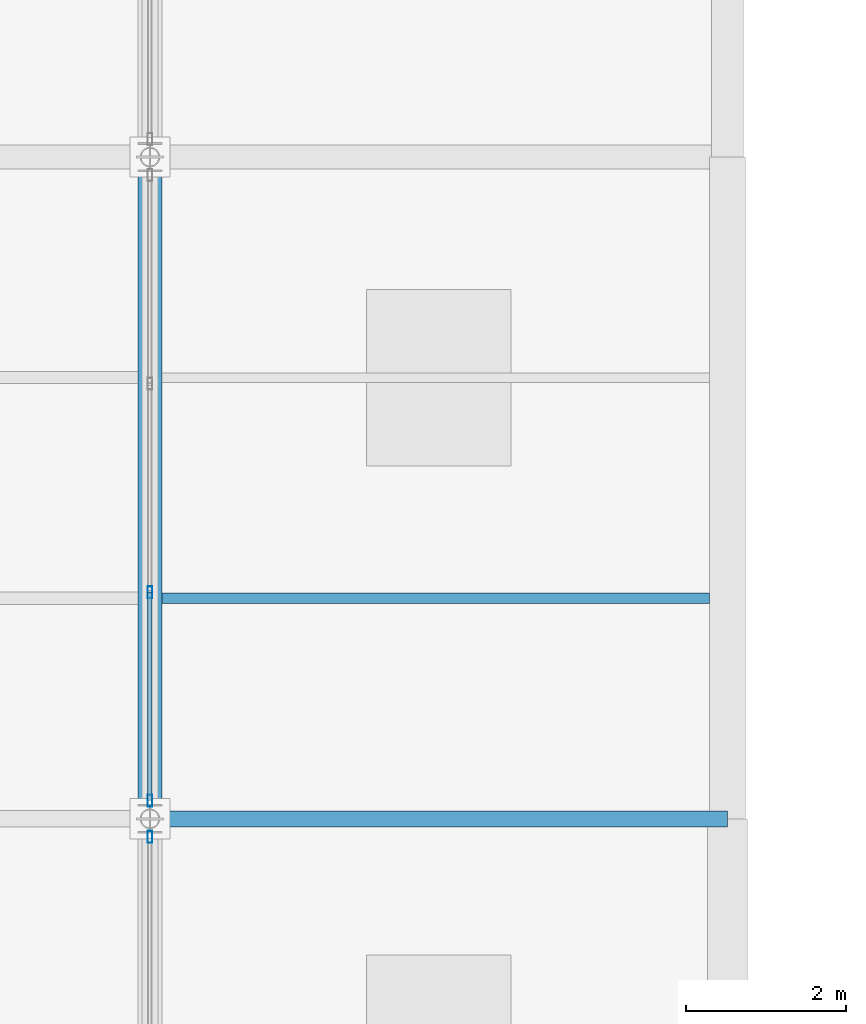
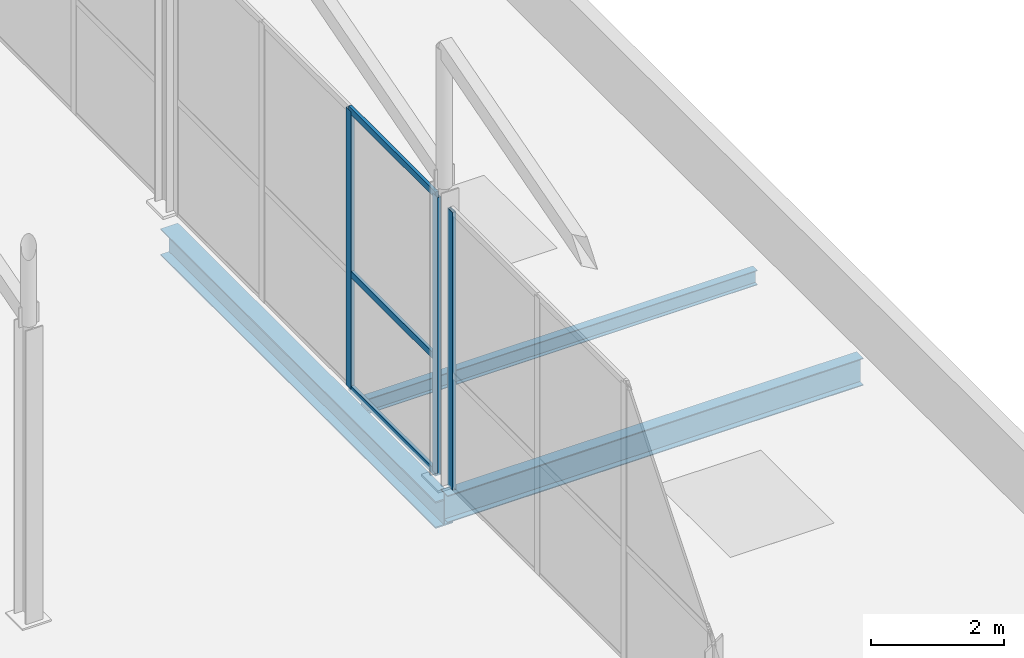
# One storey, part 67 of 141: 6 members, 3 beams, 2 elements without a shape of their own.
"""IFC4 building model written with IfcOpenShell, lengths in metres."""

from ifc_helpers import new_model, si_unit, direction, frame, origin, origin_2d, place, context, subcontext, project, spatial, hollow_rectangle, i_section, extrude, material, layer, layer_set, material_profile, profile_set, type_object, element, aggregate, save


model = new_model("IFC4")

# Units and contexts
model_context = context("Model", 3, precision=1e-05, world=origin(), true_north=direction((0.0, 1.0)))
body_context = subcontext(model_context, "Body", "Model", "MODEL_VIEW")
ifc_project = project(units=[si_unit("LENGTHUNIT", "METRE"), si_unit("AREAUNIT", "SQUARE_METRE"), si_unit("VOLUMEUNIT", "CUBIC_METRE"), si_unit("PLANEANGLEUNIT", "RADIAN"), si_unit("MASSUNIT", "GRAM", prefix="KILO")], contexts=[model_context])

# Site, building, storey
site_placement = place(None, origin())
site = spatial("IfcSite", under=ifc_project, at=site_placement, CompositionType="ELEMENT")
building_placement = place(site_placement, origin())
building = spatial("IfcBuilding", under=site, at=building_placement, Name="Sundgate Opera House", CompositionType="ELEMENT")
storey_placement = place(building_placement, frame((0.0, 0.0, 11.39990234375)))
storey = spatial("IfcBuildingStorey", under=building, at=storey_placement, Name="L02", CompositionType="ELEMENT", Elevation=11.39990234375)

# Beams
ifc_material_1 = material(Name="Steel S355J2", Category="steel")
ifc_material_profile_1 = material_profile(ifc_material_1, i_section(OverallWidth=0.300048828125, OverallDepth=0.489990234375, WebThickness=0.011962890625, FlangeThickness=0.02294921875, at=origin_2d()), Name="HEA 500")
ifc_profile_set_1 = profile_set([ifc_material_profile_1], Name="Steel S355J2")
beam_type_1 = type_object("IfcBeamType", Name="BM-GR-HEA500", PredefinedType="BEAM", material=ifc_profile_set_1)
beam_1_placement = place(storey_placement, frame((153.0, 16.5, -0.594970703125), z_axis=(0.0, 1.0, 0.0), x_axis=(-1.0, 0.0, 0.0)))
element("IfcBeam", 1, at=beam_1_placement, inside=storey, type_object=beam_type_1, Name="L02 Primary N-S Girder B1932", PredefinedType="BEAM", context=body_context, shape_type="SweptSolid", body=[
    extrude(i_section(OverallWidth=0.300048828125, OverallDepth=0.489990234375, WebThickness=0.011962890625, FlangeThickness=0.02294921875, at=origin_2d()), origin(), (0.0, 0.0, 1.0), 8.25),
])
ifc_material_2 = material(Name="Steel S355J2", Category="steel")
ifc_material_profile_2 = material_profile(ifc_material_2, i_section(OverallWidth=0.199951171875, OverallDepth=0.5, WebThickness=0.01025390625, FlangeThickness=0.01611328125, at=origin_2d()), Name="IPE 500")
ifc_profile_set_2 = profile_set([ifc_material_profile_2], Name="Steel S355J2")
beam_type_2 = type_object("IfcBeamType", Name="BM-GR-IPE500", PredefinedType="BEAM", material=ifc_profile_set_2)
beam_2_placement = place(storey_placement, frame((153.0, 16.5, -0.47998046875), z_axis=(1.0, 0.0, 0.0), x_axis=(0.0, 1.0, 0.0)))
element("IfcBeam", 2, at=beam_2_placement, inside=storey, type_object=beam_type_2, Name="L02 Primary E-W Girder B1983", PredefinedType="BEAM", context=body_context, shape_type="SweptSolid", body=[
    extrude(i_section(OverallWidth=0.199951171875, OverallDepth=0.5, WebThickness=0.01025390625, FlangeThickness=0.01611328125, at=origin_2d()), origin(), (0.0, 0.0, 1.0), 7.199951171875),
])
ifc_material_3 = material(Name="Steel S355J2", Category="steel")
ifc_material_profile_3 = material_profile(ifc_material_3, i_section(OverallWidth=0.135009765625, OverallDepth=0.27001953125, WebThickness=0.006591796875, FlangeThickness=0.01025390625, at=origin_2d()), Name="IPE 270")
ifc_profile_set_3 = profile_set([ifc_material_profile_3], Name="Steel S355J2")
beam_type_3 = type_object("IfcBeamType", Name="BM-JS-IPE270", PredefinedType="JOIST", material=ifc_profile_set_3)
beam_3_placement = place(storey_placement, frame((153.14990234375, 19.25, -0.364990234375), z_axis=(1.0, 0.0, 0.0), x_axis=(0.0, 1.0, 0.0)))
element("IfcBeam", 3, at=beam_3_placement, inside=storey, type_object=beam_type_3, Name="L02 Secondary Floor Joist B2176", PredefinedType="JOIST", context=body_context, shape_type="SweptSolid", body=[
    extrude(i_section(OverallWidth=0.135009765625, OverallDepth=0.27001953125, WebThickness=0.006591796875, FlangeThickness=0.01025390625, at=origin_2d()), origin(), (0.0, 0.0, 1.0), 6.8251953125),
])

# Curtain wall, member
ifc_material_4 = material(Name="Anodized aluminium and low-iron glass", Category="aluminium")
ifc_layer = layer(ifc_material_4, 0.14990234375)
ifc_layer_set = layer_set([ifc_layer], Name="Anodized aluminium and low-iron glass")
curtain_wall_type = type_object("IfcCurtainWallType", Name="CW-WORKSHOP-DARK", PredefinedType="NOTDEFINED", material=ifc_layer_set)
curtain_wall_1_placement = place(storey_placement, origin())
curtain_wall_1 = element("IfcCurtainWall", 4, at=curtain_wall_1_placement, inside=storey, type_object=curtain_wall_type, Name="L02 Curtain Wall CW165", PredefinedType="NOTDEFINED")
ifc_material_5 = material(Name="Anodized aluminium EN AW-6063", Category="aluminium")
ifc_material_profile_4 = material_profile(ifc_material_5, hollow_rectangle(XDim=0.06005859375, YDim=0.14990234375, WallThickness=0.00390625, at=origin_2d()), Name="CWM 150x60x4")
ifc_profile_set_4 = profile_set([ifc_material_profile_4], Name="Anodized aluminium EN AW-6063")
member_type_1 = type_object("IfcMemberType", Name="CWM-ALU-150x60", PredefinedType="MULLION", material=ifc_profile_set_4)
member_1_placement = place(storey_placement, frame((153.0, 16.27490234375, 0.0), z_axis=(0.0, 0.0, 1.0), x_axis=(1.0, 0.0, 0.0)))
member_1 = element("IfcMember", 5, at=member_1_placement, type_object=member_type_1, Name="CW165 Mullion 4", PredefinedType="MULLION", context=body_context, shape_type="SweptSolid", body=[
    extrude(hollow_rectangle(XDim=0.06005859375, YDim=0.14990234375, WallThickness=0.00390625, at=origin_2d()), origin(), (0.0, 0.0, 1.0), 5.085205078125),
])
aggregate(curtain_wall_1, [member_1])

# Curtain wall, members
curtain_wall_2_placement = place(storey_placement, origin())
curtain_wall_2 = element("IfcCurtainWall", 6, at=curtain_wall_2_placement, inside=storey, type_object=curtain_wall_type, Name="L02 Curtain Wall CW166", PredefinedType="NOTDEFINED")
member_2_placement = place(storey_placement, frame((153.0, 16.72509765625, 0.0), z_axis=(0.0, 0.0, 1.0), x_axis=(1.0, 0.0, 0.0)))
member_2 = element("IfcMember", 7, at=member_2_placement, type_object=member_type_1, Name="CW166 Mullion 1", PredefinedType="MULLION", context=body_context, shape_type="SweptSolid", body=[
    extrude(hollow_rectangle(XDim=0.06005859375, YDim=0.14990234375, WallThickness=0.00390625, at=origin_2d()), origin(), (0.0, 0.0, 1.0), 5.085205078125),
])
member_3_placement = place(storey_placement, frame((153.0, 19.324951171875, 0.0), z_axis=(0.0, 0.0, 1.0), x_axis=(1.0, 0.0, 0.0)))
member_3 = element("IfcMember", 8, at=member_3_placement, type_object=member_type_1, Name="CW166 Mullion 2", PredefinedType="MULLION", context=body_context, shape_type="SweptSolid", body=[
    extrude(hollow_rectangle(XDim=0.06005859375, YDim=0.14990234375, WallThickness=0.00390625, at=origin_2d()), origin(), (0.0, 0.0, 1.0), 5.085205078125),
])
ifc_material_6 = material(Name="Anodized aluminium EN AW-6063", Category="aluminium")
ifc_material_profile_5 = material_profile(ifc_material_6, hollow_rectangle(XDim=0.054931640625, YDim=0.1201171875, WallThickness=0.00390625, at=origin_2d()), Name="CWT 120x55x4")
ifc_profile_set_5 = profile_set([ifc_material_profile_5], Name="Anodized aluminium EN AW-6063")
member_type_2 = type_object("IfcMemberType", Name="CWT-ALU-120x55", PredefinedType="USERDEFINED", material=ifc_profile_set_5)
member_4_placement = place(storey_placement, frame((153.0, 16.72509765625, 0.0), z_axis=(0.0, 1.0, 0.0), x_axis=(-1.0, 0.0, 0.0)))
member_4 = element("IfcMember", 9, at=member_4_placement, type_object=member_type_2, Name="CW166 Transom 1", ObjectType="TRANSOM", PredefinedType="USERDEFINED", context=body_context, shape_type="SweptSolid", body=[
    extrude(hollow_rectangle(XDim=0.054931640625, YDim=0.1201171875, WallThickness=0.00390625, at=origin_2d()), origin(), (0.0, 0.0, 1.0), 2.599853515625),
])
member_5_placement = place(storey_placement, frame((153.0, 16.72509765625, 2.10009765625), z_axis=(0.0, 1.0, 0.0), x_axis=(-1.0, 0.0, 0.0)))
member_5 = element("IfcMember", 10, at=member_5_placement, type_object=member_type_2, Name="CW166 Transom 2", ObjectType="TRANSOM", PredefinedType="USERDEFINED", context=body_context, shape_type="SweptSolid", body=[
    extrude(hollow_rectangle(XDim=0.054931640625, YDim=0.1201171875, WallThickness=0.00390625, at=origin_2d()), origin(), (0.0, 0.0, 1.0), 2.599853515625),
])
member_6_placement = place(storey_placement, frame((153.0, 16.72509765625, 5.085205078125), z_axis=(0.0, 1.0, 0.0), x_axis=(-1.0, 0.0, 0.0)))
member_6 = element("IfcMember", 11, at=member_6_placement, type_object=member_type_2, Name="CW166 Transom 3", ObjectType="TRANSOM", PredefinedType="USERDEFINED", context=body_context, shape_type="SweptSolid", body=[
    extrude(hollow_rectangle(XDim=0.054931640625, YDim=0.1201171875, WallThickness=0.00390625, at=origin_2d()), origin(), (0.0, 0.0, 1.0), 2.599853515625),
])
aggregate(curtain_wall_2, [member_2, member_3, member_4, member_5, member_6])

save(model, "model.ifc")
